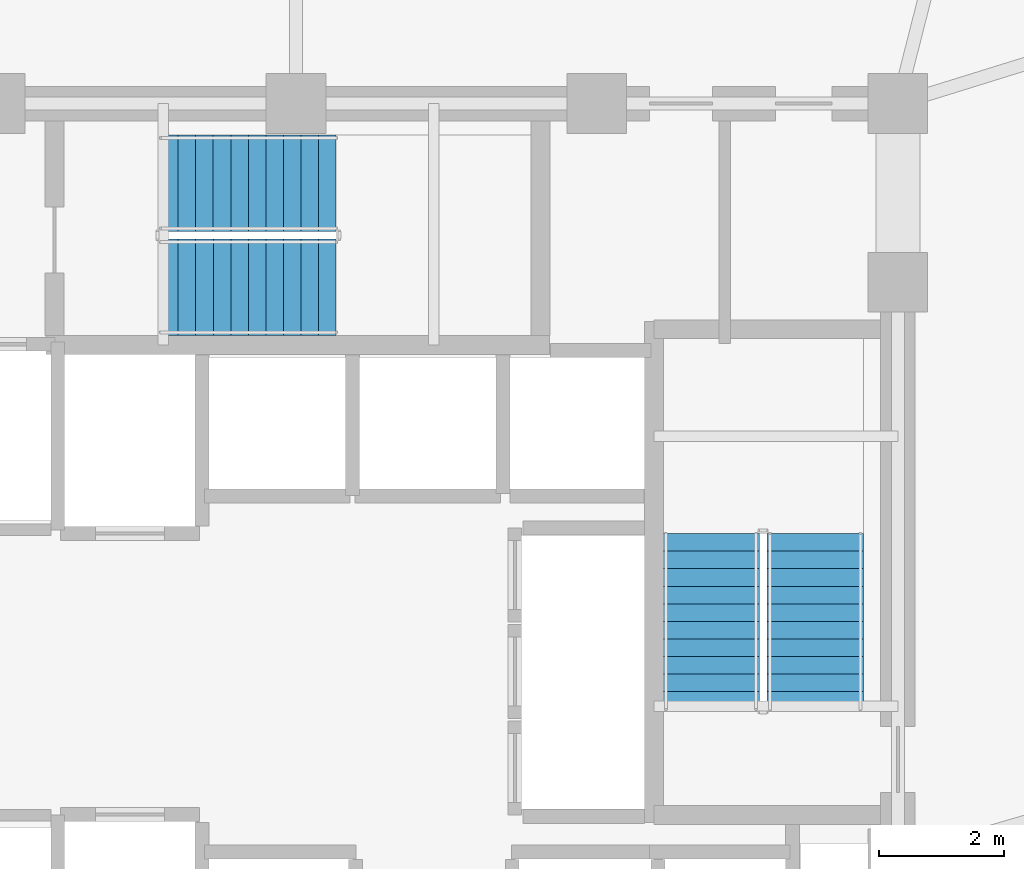
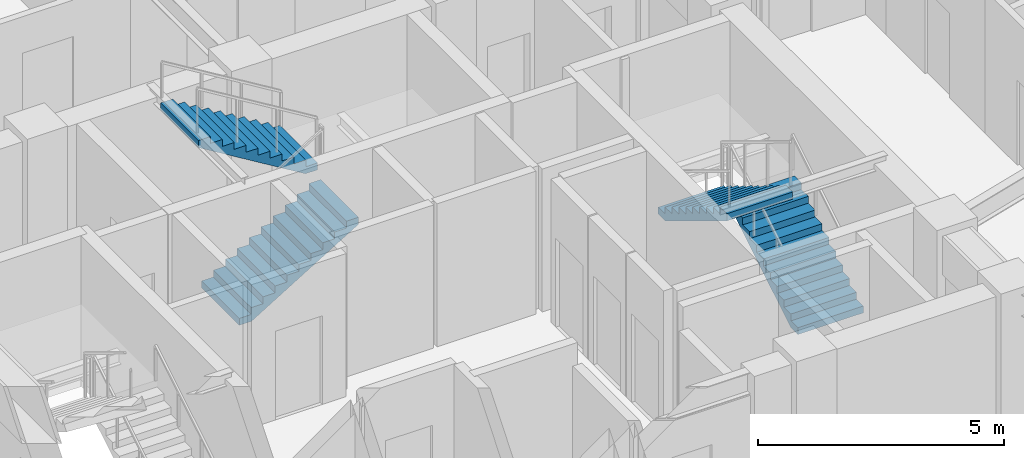
# One storey, part 27 of 31: 4 stair flights, 2 elements without a shape of their own.
"""IFC4 building model written with IfcOpenShell, lengths in metres."""

from ifc_helpers import new_model, si_unit, direction, frame, origin, place, context, subcontext, project, spatial, polyline, outline, extrude, material, type_object, element, aggregate, save


model = new_model("IFC4")

# Units and contexts
model_context = context("Model", 3, precision=1e-05, world=origin(), true_north=direction((0.0, 1.0)))
body_context = subcontext(model_context, "Body", "Model", "MODEL_VIEW")
ifc_project = project(units=[si_unit("LENGTHUNIT", "METRE"), si_unit("AREAUNIT", "SQUARE_METRE"), si_unit("VOLUMEUNIT", "CUBIC_METRE"), si_unit("PLANEANGLEUNIT", "RADIAN"), si_unit("MASSUNIT", "GRAM", prefix="KILO")], contexts=[model_context])

# Site, building, storey
site_placement = place(None, origin())
site = spatial("IfcSite", under=ifc_project, at=site_placement, CompositionType="ELEMENT")
building_placement = place(site_placement, origin())
building = spatial("IfcBuilding", under=site, at=building_placement, Name="Vantalir Tower", CompositionType="ELEMENT")
storey_placement = place(building_placement, frame((0.0, 0.0, 123.449951171875)))
storey = spatial("IfcBuildingStorey", under=building, at=storey_placement, Name="L30", CompositionType="ELEMENT", Elevation=123.449951171875)

# Stair, stair flights
ifc_material = material(Name="Concrete C40/50", Category="concrete")
stair_type = type_object("IfcStairType", Name="STR-CORE-1450", PredefinedType="HALF_TURN_STAIR", material=ifc_material)
stair_1_placement = place(storey_placement, origin())
stair_1 = element("IfcStair", 1, at=stair_1_placement, inside=storey, type_object=stair_type, Name="L30 Core Exit Stair 2", PredefinedType="HALF_TURN_STAIR")
stair_flight_type = type_object("IfcStairFlightType", Name="FLT-CORE-1450", PredefinedType="STRAIGHT", material=ifc_material)
stair_flight_1_placement = place(storey_placement, frame((39.780029296875, 22.7900390625, 0.0), z_axis=(0.0, 0.0, 1.0), x_axis=(0.0, 1.0, 0.0)))
stair_flight_1 = element("IfcStairFlight", 2, at=stair_flight_1_placement, type_object=stair_flight_type, Name="ST2 flight 1", NumberOfRisers=11, NumberOfTreads=10, PredefinedType="STRAIGHT", RiserHeight=0.170454545, TreadLength=0.28, context=body_context, shape_type="SweptSolid", body=[
    extrude(outline(polyline([(0.0, 0.0), (0.0, 0.17041015625), (0.280029296875, 0.17041015625), (0.280029296875, 0.3408203125), (0.56005859375, 0.3408203125), (0.56005859375, 0.511474609375), (0.840087890625, 0.511474609375), (0.840087890625, 0.681884765625), (1.1201171875, 0.681884765625), (1.1201171875, 0.852294921875), (1.39990234375, 0.852294921875), (1.39990234375, 1.022705078125), (1.679931640625, 1.022705078125), (1.679931640625, 1.193115234375), (1.9599609375, 1.193115234375), (1.9599609375, 1.363525390625), (2.239990234375, 1.363525390625), (2.239990234375, 1.5341796875), (2.52001953125, 1.5341796875), (2.52001953125, 1.70458984375), (2.800048828125, 1.70458984375), (2.800048828125, 1.875), (2.800048828125, 1.529052734375), (0.288330078125, 0.0), (0.0, 0.0)])), frame((0.0, 0.77001953125, 0.0), z_axis=(0.0, -1.0, 0.0), x_axis=(1.0, 0.0, 0.0)), (0.0, 0.0, 1.0), 1.5400390625),
])
stair_flight_2_placement = place(storey_placement, frame((38.1201171875, 25.590087890625, 1.875), z_axis=(0.0, 0.0, 1.0), x_axis=(0.0, -1.0, 0.0)))
stair_flight_2 = element("IfcStairFlight", 3, at=stair_flight_2_placement, type_object=stair_flight_type, Name="ST2 flight 2", NumberOfRisers=11, NumberOfTreads=10, PredefinedType="STRAIGHT", RiserHeight=0.170454545, TreadLength=0.28, context=body_context, shape_type="SweptSolid", body=[
    extrude(outline(polyline([(0.0, 0.0), (0.0, 0.17041015625), (0.280029296875, 0.17041015625), (0.280029296875, 0.3408203125), (0.56005859375, 0.3408203125), (0.56005859375, 0.511474609375), (0.840087890625, 0.511474609375), (0.840087890625, 0.681884765625), (1.1201171875, 0.681884765625), (1.1201171875, 0.852294921875), (1.39990234375, 0.852294921875), (1.39990234375, 1.022705078125), (1.679931640625, 1.022705078125), (1.679931640625, 1.193115234375), (1.9599609375, 1.193115234375), (1.9599609375, 1.363525390625), (2.239990234375, 1.363525390625), (2.239990234375, 1.5341796875), (2.52001953125, 1.5341796875), (2.52001953125, 1.70458984375), (2.800048828125, 1.70458984375), (2.800048828125, 1.875), (2.800048828125, 1.529052734375), (0.288330078125, 0.0), (0.0, 0.0)])), frame((0.0, 0.77001953125, 0.0), z_axis=(0.0, -1.0, 0.0), x_axis=(1.0, 0.0, 0.0)), (0.0, 0.0, 1.0), 1.5400390625),
])
aggregate(stair_1, [stair_flight_1, stair_flight_2])

stair_2_placement = place(storey_placement, origin())
stair_2 = element("IfcStair", 4, at=stair_2_placement, inside=storey, type_object=stair_type, Name="L30 Core Exit Stair 3", PredefinedType="HALF_TURN_STAIR")
stair_flight_3_placement = place(storey_placement, frame((29.340087890625, 29.52001953125, 0.0), z_axis=(0.0, 0.0, 1.0), x_axis=(1.0, 0.0, 0.0)))
stair_flight_3 = element("IfcStairFlight", 5, at=stair_flight_3_placement, type_object=stair_flight_type, Name="ST3 flight 1", NumberOfRisers=11, NumberOfTreads=10, PredefinedType="STRAIGHT", RiserHeight=0.170454545, TreadLength=0.28, context=body_context, shape_type="SweptSolid", body=[
    extrude(outline(polyline([(0.0, 0.0), (0.0, 0.17041015625), (0.280029296875, 0.17041015625), (0.280029296875, 0.3408203125), (0.56005859375, 0.3408203125), (0.56005859375, 0.511474609375), (0.840087890625, 0.511474609375), (0.840087890625, 0.681884765625), (1.1201171875, 0.681884765625), (1.1201171875, 0.852294921875), (1.39990234375, 0.852294921875), (1.39990234375, 1.022705078125), (1.679931640625, 1.022705078125), (1.679931640625, 1.193115234375), (1.9599609375, 1.193115234375), (1.9599609375, 1.363525390625), (2.239990234375, 1.363525390625), (2.239990234375, 1.5341796875), (2.52001953125, 1.5341796875), (2.52001953125, 1.70458984375), (2.800048828125, 1.70458984375), (2.800048828125, 1.875), (2.800048828125, 1.529052734375), (0.288330078125, 0.0), (0.0, 0.0)])), frame((0.0, 0.77001953125, 0.0), z_axis=(0.0, -1.0, 0.0), x_axis=(1.0, 0.0, 0.0)), (0.0, 0.0, 1.0), 1.5400390625),
])
stair_flight_4_placement = place(storey_placement, frame((32.139892578125, 31.179931640625, 1.875), z_axis=(0.0, 0.0, 1.0), x_axis=(-1.0, 0.0, 0.0)))
stair_flight_4 = element("IfcStairFlight", 6, at=stair_flight_4_placement, type_object=stair_flight_type, Name="ST3 flight 2", NumberOfRisers=11, NumberOfTreads=10, PredefinedType="STRAIGHT", RiserHeight=0.170454545, TreadLength=0.28, context=body_context, shape_type="SweptSolid", body=[
    extrude(outline(polyline([(0.0, 0.0), (0.0, 0.17041015625), (0.280029296875, 0.17041015625), (0.280029296875, 0.3408203125), (0.56005859375, 0.3408203125), (0.56005859375, 0.511474609375), (0.840087890625, 0.511474609375), (0.840087890625, 0.681884765625), (1.1201171875, 0.681884765625), (1.1201171875, 0.852294921875), (1.39990234375, 0.852294921875), (1.39990234375, 1.022705078125), (1.679931640625, 1.022705078125), (1.679931640625, 1.193115234375), (1.9599609375, 1.193115234375), (1.9599609375, 1.363525390625), (2.239990234375, 1.363525390625), (2.239990234375, 1.5341796875), (2.52001953125, 1.5341796875), (2.52001953125, 1.70458984375), (2.800048828125, 1.70458984375), (2.800048828125, 1.875), (2.800048828125, 1.529052734375), (0.288330078125, 0.0), (0.0, 0.0)])), frame((0.0, 0.77001953125, 0.0), z_axis=(0.0, -1.0, 0.0), x_axis=(1.0, 0.0, 0.0)), (0.0, 0.0, 1.0), 1.5400390625),
])
aggregate(stair_2, [stair_flight_3, stair_flight_4])

save(model, "model.ifc")
